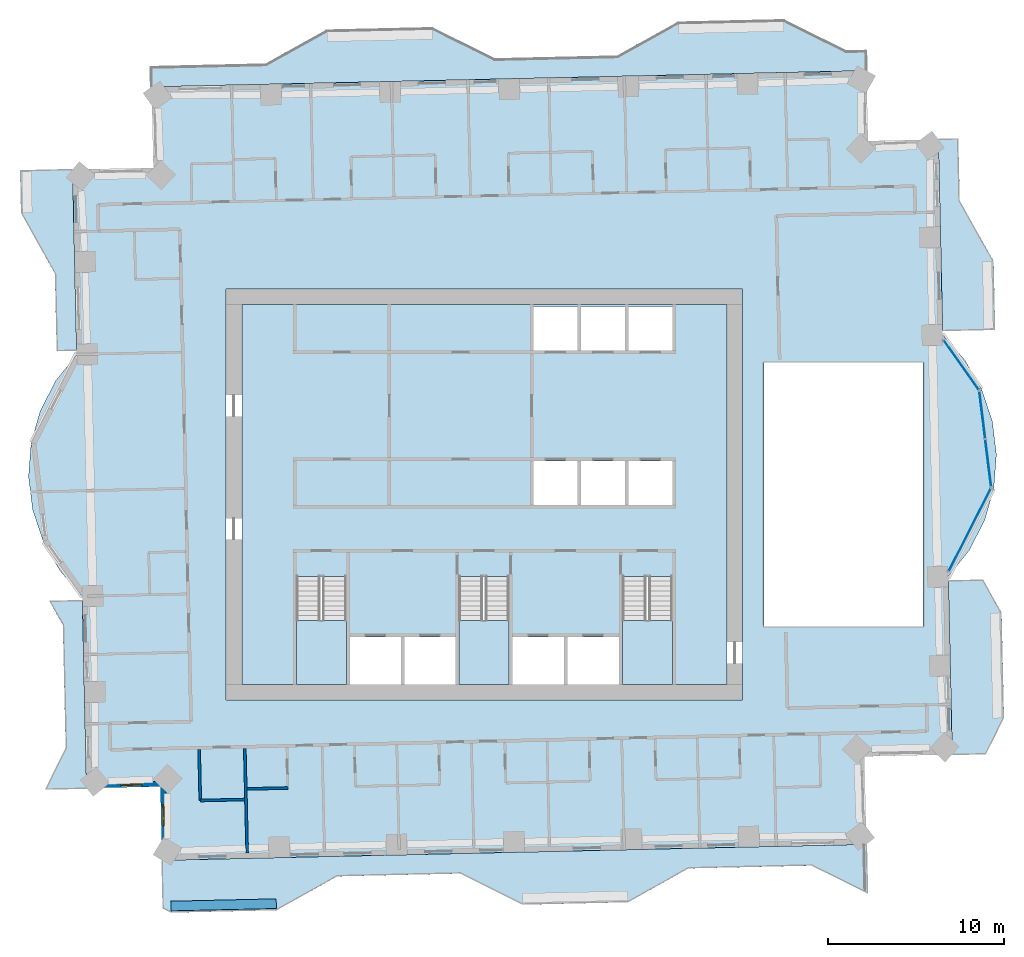
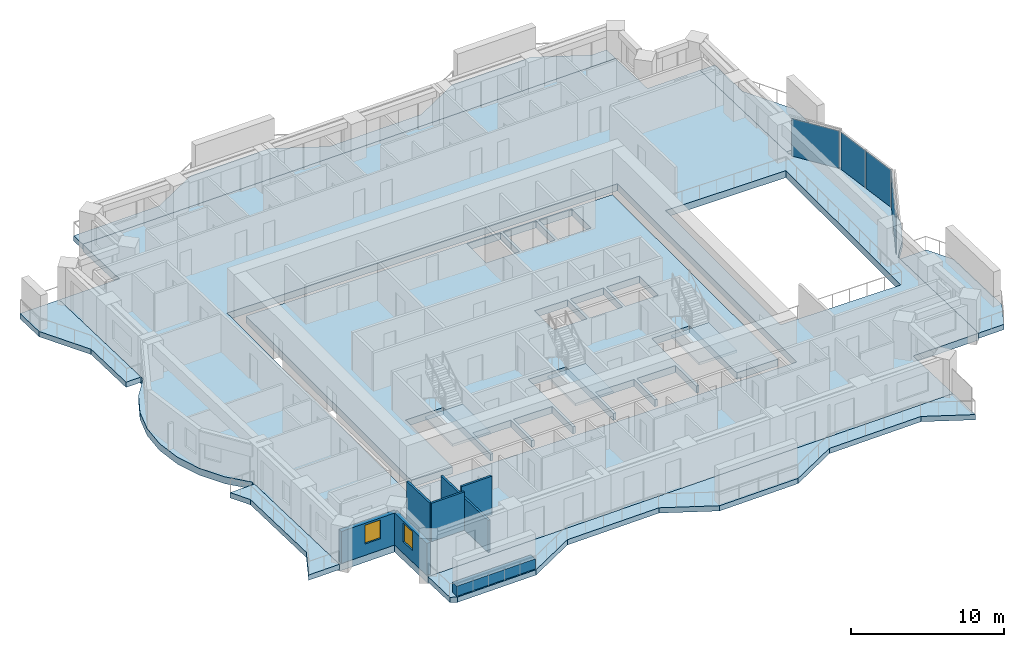
# One storey, part 5 of 16: 11 slabs, 7 walls, 4 plates, 2 windows, 2 openings, 6 elements without a shape of their own.
"""IFC4 building model written with IfcOpenShell, lengths in metres."""

from ifc_helpers import new_model, si_unit, direction, frame, frame_2d, origin, origin_2d, place, context, subcontext, project, spatial, polyline, rectangle, outline, extrude, material, layer, layer_set, type_object, element, fill, aggregate, save


model = new_model("IFC4")

# Units and contexts
model_context = context("Model", 3, precision=1e-05, world=origin(), true_north=direction((0.0, 1.0)))
body_context = subcontext(model_context, "Body", "Model", "MODEL_VIEW")
ifc_project = project(units=[si_unit("LENGTHUNIT", "METRE"), si_unit("AREAUNIT", "SQUARE_METRE"), si_unit("VOLUMEUNIT", "CUBIC_METRE"), si_unit("PLANEANGLEUNIT", "RADIAN"), si_unit("MASSUNIT", "GRAM", prefix="KILO")], contexts=[model_context])

# Site, building, storey
site_placement = place(None, origin())
site = spatial("IfcSite", under=ifc_project, at=site_placement, CompositionType="ELEMENT")
building_placement = place(site_placement, origin())
building = spatial("IfcBuilding", under=site, at=building_placement, Name="Mangrove Gate Tower", CompositionType="ELEMENT")
storey_placement = place(building_placement, frame((0.0, 0.0, 175.300048828125)))
storey = spatial("IfcBuildingStorey", under=building, at=storey_placement, Name="L44", CompositionType="ELEMENT", Elevation=175.300048828125)

# Curtain wall, plate
ifc_material_1 = material(Name="Aluminium and glass curtain wall", Category="aluminium")
curtain_wall_type = type_object("IfcCurtainWallType", Name="Atrium garden-court glazing wall", PredefinedType="NOTDEFINED", material=ifc_material_1)
curtain_wall_1_placement = place(storey_placement, origin())
curtain_wall_1 = element("IfcCurtainWall", 1, at=curtain_wall_1_placement, inside=storey, type_object=curtain_wall_type, Name="Atrium garden-court glazing E1f1", PredefinedType="NOTDEFINED")
ifc_material_2 = material(Name="Laminated low-e glass", Category="glass")
ifc_layer_1 = layer(ifc_material_2, 0.031982421875)
ifc_layer_set_1 = layer_set([ifc_layer_1], Name="Atrium garden-court glazing panel 32")
plate_type = type_object("IfcPlateType", Name="Atrium garden-court glazing panel 32", PredefinedType="CURTAIN_PANEL", material=ifc_layer_set_1)
plate_1_placement = place(storey_placement, frame((27.61572265625, -2.01220703125, 0.0), z_axis=(0.0, 0.0, 1.0), x_axis=(0.452578247326, 0.891724694089, 0.0)))
plate_1 = element("IfcPlate", 2, at=plate_1_placement, type_object=plate_type, Name="CWA panel 1.1", PredefinedType="CURTAIN_PANEL", context=body_context, shape_type="SweptSolid", body=[
    extrude(rectangle(XDim=5.25732421875, YDim=0.031982421875, at=origin_2d()), origin(), (0.0, 0.0, 1.0), 2.97998046875),
])
aggregate(curtain_wall_1, [plate_1])

# Curtain wall, plates
curtain_wall_2_placement = place(storey_placement, origin())
curtain_wall_2 = element("IfcCurtainWall", 3, at=curtain_wall_2_placement, inside=storey, type_object=curtain_wall_type, Name="Atrium garden-court glazing E1f2", PredefinedType="NOTDEFINED")
plate_2_placement = place(storey_placement, frame((28.664794921875, 1.79443359375, 0.0), z_axis=(0.0, 0.0, 1.0), x_axis=(-0.122172286076, 0.992508908028, 0.0)))
plate_2 = element("IfcPlate", 4, at=plate_2_placement, type_object=plate_type, Name="CWA panel 1.1", PredefinedType="CURTAIN_PANEL", context=body_context, shape_type="SweptSolid", body=[
    extrude(rectangle(XDim=2.681640625, YDim=0.031982421875, at=origin_2d()), origin(), (0.0, 0.0, 1.0), 2.97998046875),
])
plate_3_placement = place(storey_placement, frame((28.32861328125, 4.525634765625, 0.0), z_axis=(0.0, 0.0, 1.0), x_axis=(-0.122172286076, 0.992508908028, 0.0)))
plate_3 = element("IfcPlate", 5, at=plate_3_placement, type_object=plate_type, Name="CWA panel 2.1", PredefinedType="CURTAIN_PANEL", context=body_context, shape_type="SweptSolid", body=[
    extrude(rectangle(XDim=2.681640625, YDim=0.031982421875, at=origin_2d()), origin(), (0.0, 0.0, 1.0), 2.97998046875),
])
aggregate(curtain_wall_2, [plate_2, plate_3])

# Curtain wall, plate
curtain_wall_3_placement = place(storey_placement, origin())
curtain_wall_3 = element("IfcCurtainWall", 6, at=curtain_wall_3_placement, inside=storey, type_object=curtain_wall_type, Name="Atrium garden-court glazing E1f3", PredefinedType="NOTDEFINED")
plate_4_placement = place(storey_placement, frame((27.125, 7.381591796875, 0.0), z_axis=(0.0, 0.0, 1.0), x_axis=(-0.578106334278, 0.815961436753, 0.0)))
plate_4 = element("IfcPlate", 7, at=plate_4_placement, type_object=plate_type, Name="CWA panel 1.1", PredefinedType="CURTAIN_PANEL", context=body_context, shape_type="SweptSolid", body=[
    extrude(rectangle(XDim=3.427978515625, YDim=0.031982421875, at=origin_2d()), origin(), (0.0, 0.0, 1.0), 2.97998046875),
])
aggregate(curtain_wall_3, [plate_4])

# Slabs
ifc_material_3 = material(Name="Porcelain tile")
ifc_layer_2 = layer(ifc_material_3, 0.02001953125, Name="Tile finish")
ifc_material_4 = material(Name="Cement sand screed")
ifc_layer_3 = layer(ifc_material_4, 0.0400390625, Name="Screed laid to falls")
ifc_material_5 = material(Name="Bituminous waterproofing membrane")
ifc_layer_4 = layer(ifc_material_5, 0.00390625, Name="Waterproofing")
ifc_material_6 = material(Name="Concrete C40/50", Category="concrete")
ifc_layer_5 = layer(ifc_material_6, 0.340087890625, Name="Balcony structural slab")
ifc_material_7 = material(Name="Limestone", Category="masonry")
ifc_layer_6 = layer(ifc_material_7, 0.01611328125, Name="Soffit lining")
ifc_layer_set_2 = layer_set([ifc_layer_2, ifc_layer_3, ifc_layer_4, ifc_layer_5, ifc_layer_6], Name="Balcony slab 420 C40/50")
slab_type_1 = type_object("IfcSlabType", Name="Balcony slab 420 C40/50", PredefinedType="FLOOR", material=ifc_layer_set_2)
slab_1_placement = place(storey_placement, frame((0.0, 0.0, -0.420166015625)))
element("IfcSlab", 8, at=slab_1_placement, inside=storey, type_object=slab_type_1, Name="BALCONY L44 E0", PredefinedType="FLOOR", context=body_context, shape_type="SweptSolid", body=[
    extrude(outline(polyline([(28.552001953125, -14.742919921875), (29.56298828125, -12.718994140625), (29.427001953125, -6.720947265625), (28.39404296875, -4.868896484375), (26.39501953125, -4.9140625), (26.43798828125, -6.7890625), (26.573974609375, -12.787109375), (26.618896484375, -14.787109375), (28.552001953125, -14.742919921875)])), origin(), (0.0, 0.0, 1.0), 0.420166015625),
])
slab_2_placement = place(storey_placement, frame((0.0, 0.0, -0.420166015625)))
element("IfcSlab", 9, at=slab_2_placement, inside=storey, type_object=slab_type_1, Name="BALCONY L44 E1", PredefinedType="FLOOR", context=body_context, shape_type="SweptSolid", body=[
    extrude(outline(polyline([(29.06103515625, 9.39990234375), (28.972900390625, 13.27392578125), (27.0439453125, 16.73095703125), (26.965087890625, 20.22998046875), (25.824951171875, 20.2041015625), (25.905029296875, 16.705078125), (25.98388671875, 13.2060546875), (26.072021484375, 9.3330078125), (29.06103515625, 9.39990234375)])), origin(), (0.0, 0.0, 1.0), 0.420166015625),
])
slab_3_placement = place(storey_placement, frame((0.0, 0.0, -0.420166015625)))
element("IfcSlab", 10, at=slab_3_placement, inside=storey, type_object=slab_type_1, Name="BALCONY L44 N0", PredefinedType="FLOOR", context=body_context, shape_type="SweptSolid", body=[
    extrude(outline(polyline([(21.7099609375, 25.251953125), (20.570068359375, 25.22607421875), (17.029052734375, 26.9970703125), (11.030029296875, 26.860107421875), (7.572998046875, 24.931884765625), (0.574951171875, 24.77392578125), (-2.966064453125, 26.54296875), (-8.964111328125, 26.406982421875), (-12.422119140625, 24.47802734375), (-18.9599609375, 24.3291015625), (-18.93408203125, 23.18994140625), (-8.89697265625, 23.4169921875), (21.736083984375, 24.113037109375), (21.7099609375, 25.251953125)])), origin(), (0.0, 0.0, 1.0), 0.420166015625),
])
slab_4_placement = place(storey_placement, frame((0.0, 0.0, -0.420166015625)))
element("IfcSlab", 11, at=slab_4_placement, inside=storey, type_object=slab_type_1, Name="BALCONY L44 W0", PredefinedType="FLOOR", context=body_context, shape_type="SweptSolid", body=[
    extrude(outline(polyline([(-26.41796875, 18.4189453125), (-26.363037109375, 16.01904296875), (-24.43408203125, 12.56201171875), (-24.3349609375, 8.18896484375), (-23.195068359375, 8.214111328125), (-23.294921875, 12.587890625), (-23.3740234375, 16.0869140625), (-23.427978515625, 18.487060546875), (-26.41796875, 18.4189453125)])), origin(), (0.0, 0.0, 1.0), 0.420166015625),
])
slab_5_placement = place(storey_placement, frame((0.0, 0.0, -0.420166015625)))
element("IfcSlab", 12, at=slab_5_placement, inside=storey, type_object=slab_type_1, Name="BALCONY L44 W1", PredefinedType="FLOOR", context=body_context, shape_type="SweptSolid", body=[
    extrude(outline(polyline([(-24.738037109375, -6.074951171875), (-23.98095703125, -7.43310546875), (-23.822021484375, -14.430908203125), (-24.985107421875, -16.758056640625), (-22.6298828125, -16.7041015625), (-22.681884765625, -14.405029296875), (-22.841064453125, -7.406982421875), (-22.8720703125, -6.032958984375), (-24.738037109375, -6.074951171875)])), origin(), (0.0, 0.0, 1.0), 0.420166015625),
])
slab_6_placement = place(storey_placement, frame((0.0, 0.0, -0.420166015625)))
element("IfcSlab", 13, at=slab_6_placement, inside=storey, type_object=slab_type_1, Name="BALCONY L44 S0", PredefinedType="FLOOR", context=body_context, shape_type="SweptSolid", body=[
    extrude(outline(polyline([(-18.27294921875, -23.56494140625), (-17.827880859375, -23.787109375), (-11.8291015625, -23.65087890625), (-8.3720703125, -21.721923828125), (-1.3740234375, -21.56298828125), (2.1669921875, -23.333984375), (8.1650390625, -23.197021484375), (11.623046875, -21.26904296875), (18.62109375, -21.111083984375), (21.798095703125, -22.697998046875), (21.73388671875, -19.89892578125), (-18.3359375, -20.80810546875), (-18.27294921875, -23.56494140625)])), origin(), (0.0, 0.0, 1.0), 0.420166015625),
])
ifc_material_8 = material(Name="Concrete C40/50", Category="concrete")
ifc_layer_7 = layer(ifc_material_8, 0.550048828125)
ifc_layer_set_3 = layer_set([ifc_layer_7], Name="Core floor slab 550 C40/50")
slab_type_2 = type_object("IfcSlabType", Name="Core floor slab 550 C40/50", PredefinedType="FLOOR", material=ifc_layer_set_3)
slab_7_placement = place(storey_placement, frame((0.0, 0.0, -0.550048828125)))
element("IfcSlab", 14, at=slab_7_placement, inside=storey, type_object=slab_type_2, Name="SLAB-L44-CORE-1", PredefinedType="FLOOR", context=body_context, shape_type="SweptSolid", body=[
    extrude(outline(polyline([(-13.800048828125, -10.800048828125), (-13.800048828125, 10.800048828125), (13.800048828125, 10.800048828125), (13.800048828125, -10.800048828125), (10.699951171875, -10.800048828125), (10.699951171875, -4.653076171875), (7.85009765625, -4.653076171875), (7.85009765625, -10.800048828125), (7.64990234375, -10.800048828125), (7.64990234375, -8.10009765625), (4.72509765625, -8.10009765625), (4.72509765625, -10.800048828125), (4.52490234375, -10.800048828125), (4.52490234375, -8.10009765625), (1.60009765625, -8.10009765625), (1.60009765625, -10.800048828125), (1.39990234375, -10.800048828125), (1.39990234375, -4.653076171875), (-1.449951171875, -4.653076171875), (-1.449951171875, -10.800048828125), (-1.64990234375, -10.800048828125), (-1.64990234375, -8.10009765625), (-4.550048828125, -8.10009765625), (-4.550048828125, -10.800048828125), (-4.75, -10.800048828125), (-4.75, -8.10009765625), (-7.64990234375, -8.10009765625), (-7.64990234375, -10.800048828125), (-7.85009765625, -10.800048828125), (-7.85009765625, -4.653076171875), (-10.699951171875, -4.653076171875), (-10.699951171875, -10.800048828125), (-13.800048828125, -10.800048828125)]), holes=[polyline([(5.300048828125, -0.60009765625), (5.300048828125, 1.89990234375), (2.800048828125, 1.89990234375), (2.800048828125, -0.60009765625), (5.300048828125, -0.60009765625)]), polyline([(5.300048828125, 10.699951171875), (2.800048828125, 10.699951171875), (2.800048828125, 8.199951171875), (5.300048828125, 8.199951171875), (5.300048828125, 10.699951171875)]), polyline([(8.0, -0.60009765625), (8.0, 1.89990234375), (5.5, 1.89990234375), (5.5, -0.60009765625), (8.0, -0.60009765625)]), polyline([(10.699951171875, -0.60009765625), (10.699951171875, 1.89990234375), (8.199951171875, 1.89990234375), (8.199951171875, -0.60009765625), (10.699951171875, -0.60009765625)]), polyline([(8.0, 8.199951171875), (8.0, 10.699951171875), (5.5, 10.699951171875), (5.5, 8.199951171875), (8.0, 8.199951171875)]), polyline([(10.699951171875, 8.199951171875), (10.699951171875, 10.699951171875), (8.199951171875, 10.699951171875), (8.199951171875, 8.199951171875), (10.699951171875, 8.199951171875)])]), origin(), (0.0, 0.0, 1.0), 0.550048828125),
])

# Stair, slab
ifc_material_9 = material(Name="Concrete C40/50", Category="concrete")
stair_type = type_object("IfcStairType", Name="Core stair 1350", PredefinedType="HALF_TURN_STAIR", material=ifc_material_9)
stair_1_placement = place(storey_placement, origin())
stair_1 = element("IfcStair", 15, at=stair_1_placement, inside=storey, type_object=stair_type, Name="L44 Stair 1", PredefinedType="HALF_TURN_STAIR")
ifc_material_10 = material(Name="Concrete C40/50", Category="concrete")
ifc_layer_8 = layer(ifc_material_10, 0.199951171875)
ifc_layer_set_4 = layer_set([ifc_layer_8], Name="Core stair landing 200")
slab_type_3 = type_object("IfcSlabType", Name="Core stair landing 200", PredefinedType="LANDING", material=ifc_layer_set_4)
slab_8_placement = place(storey_placement, frame((0.0, 0.0, 1.599853515625)))
slab_8 = element("IfcSlab", 16, at=slab_8_placement, type_object=slab_type_3, Name="ST1 landing 1", PredefinedType="LANDING", context=body_context, shape_type="SweptSolid", body=[
    extrude(outline(polyline([(-10.699951171875, -7.169921875), (-10.699951171875, -10.800048828125), (-7.85009765625, -10.800048828125), (-7.85009765625, -7.169921875), (-10.699951171875, -7.169921875)])), origin(), (0.0, 0.0, 1.0), 0.2001953125),
])
aggregate(stair_1, [slab_8])

stair_2_placement = place(storey_placement, origin())
stair_2 = element("IfcStair", 17, at=stair_2_placement, inside=storey, type_object=stair_type, Name="L44 Stair 2", PredefinedType="HALF_TURN_STAIR")
slab_9_placement = place(storey_placement, frame((0.0, 0.0, 1.599853515625)))
slab_9 = element("IfcSlab", 18, at=slab_9_placement, type_object=slab_type_3, Name="ST2 landing 1", PredefinedType="LANDING", context=body_context, shape_type="SweptSolid", body=[
    extrude(outline(polyline([(-1.449951171875, -7.169921875), (-1.449951171875, -10.800048828125), (1.39990234375, -10.800048828125), (1.39990234375, -7.169921875), (-1.449951171875, -7.169921875)])), origin(), (0.0, 0.0, 1.0), 0.2001953125),
])
aggregate(stair_2, [slab_9])

stair_3_placement = place(storey_placement, origin())
stair_3 = element("IfcStair", 19, at=stair_3_placement, inside=storey, type_object=stair_type, Name="L44 Stair 3", PredefinedType="HALF_TURN_STAIR")
slab_10_placement = place(storey_placement, frame((0.0, 0.0, 1.599853515625)))
slab_10 = element("IfcSlab", 20, at=slab_10_placement, type_object=slab_type_3, Name="ST3 landing 1", PredefinedType="LANDING", context=body_context, shape_type="SweptSolid", body=[
    extrude(outline(polyline([(7.85009765625, -7.169921875), (7.85009765625, -10.800048828125), (10.699951171875, -10.800048828125), (10.699951171875, -7.169921875), (7.85009765625, -7.169921875)])), origin(), (0.0, 0.0, 1.0), 0.2001953125),
])
aggregate(stair_3, [slab_10])

# Slab
ifc_material_11 = material(Name="Concrete C40/50", Category="concrete")
ifc_layer_9 = layer(ifc_material_11, 0.550048828125)
ifc_layer_set_5 = layer_set([ifc_layer_9], Name="Floor slab 550 C40/50")
slab_type_4 = type_object("IfcSlabType", Name="Floor slab 550 C40/50", PredefinedType="FLOOR", material=ifc_layer_set_5)
slab_11_placement = place(storey_placement, frame((0.0, 0.0, -0.550048828125)))
element("IfcSlab", 21, at=slab_11_placement, inside=storey, type_object=slab_type_4, Name="Floor slab L44", PredefinedType="FLOOR", context=body_context, shape_type="SweptSolid", body=[
    extrude(outline(polyline([(-18.335693359375, -20.80810546875), (21.734130859375, -19.898681640625), (21.62060546875, -14.900146484375), (26.619384765625, -14.78662109375), (26.3896484375, -4.66455078125), (27.586181640625, -3.172119140625), (28.463134765625, -1.472412109375), (28.985595703125, 0.36767578125), (29.1328125, 2.27490234375), (28.899169921875, 4.17333984375), (28.293701171875, 5.98779296875), (27.340576171875, 7.64599609375), (26.07763671875, 9.08251953125), (25.8251953125, 20.204345703125), (21.826416015625, 20.113525390625), (21.735595703125, 24.112548828125), (-18.93408203125, 23.189697265625), (-18.82958984375, 18.5908203125), (-23.428466796875, 18.486572265625), (-23.189697265625, 7.964599609375), (-24.38623046875, 6.47216796875), (-25.26318359375, 4.772216796875), (-25.78564453125, 2.932373046875), (-25.932861328125, 1.025146484375), (-25.69921875, -0.873291015625), (-25.09375, -2.687744140625), (-24.140625, -4.345947265625), (-22.877685546875, -5.782470703125), (-22.6298828125, -16.704345703125), (-18.430908203125, -16.609130859375), (-18.335693359375, -20.80810546875)]), holes=[polyline([(15.89990234375, 7.5), (24.964111328125, 7.5), (24.964111328125, -7.5), (15.89990234375, -7.5), (15.89990234375, 7.5)]), polyline([(-14.699951171875, -11.699951171875), (-14.699951171875, 11.699951171875), (14.699951171875, 11.699951171875), (14.699951171875, -11.699951171875), (-14.699951171875, -11.699951171875)])]), origin(), (0.0, 0.0, 1.0), 0.550048828125),
])

# Wall, opening, window
ifc_layer_10 = layer(ifc_material_7, 0.0400390625, Name="Limestone cladding")
ifc_material_12 = material(Name="Ventilated air gap")
ifc_layer_11 = layer(ifc_material_12, 0.0400390625, Name="Ventilated cavity")
ifc_material_13 = material(Name="Mineral wool insulation")
ifc_layer_12 = layer(ifc_material_13, 0.06005859375, Name="Insulation")
ifc_material_14 = material(Name="Breather membrane")
ifc_layer_13 = layer(ifc_material_14, 0.001953125, Name="Breather membrane")
ifc_material_15 = material(Name="Concrete C20/25 blockwork", Category="masonry")
ifc_layer_14 = layer(ifc_material_15, 0.14990234375, Name="Blockwork backing wall")
ifc_material_16 = material(Name="Gypsum plaster")
ifc_layer_15 = layer(ifc_material_16, 0.008056640625, Name="Internal plaster")
ifc_layer_set_6 = layer_set([ifc_layer_10, ifc_layer_11, ifc_layer_12, ifc_layer_13, ifc_layer_14, ifc_layer_15], Name="External wall 300 limestone cladding")
wall_type_1 = type_object("IfcWallType", Name="External wall 300 limestone cladding", PredefinedType="SOLIDWALL", material=ifc_layer_set_6)
wall_1_placement = place(storey_placement, frame((-22.48291015625, -16.551025390625, 0.0), z_axis=(0.0, 0.0, 1.0), x_axis=(0.999744320311, 0.022611811187, 0.0)))
wall_1 = element("IfcWall", 22, at=wall_1_placement, inside=storey, type_object=wall_type_1, Name="WALL-L44-S11", PredefinedType="SOLIDWALL", context=body_context, shape_type="SweptSolid", body=[
    extrude(rectangle(XDim=4.199951171875, YDim=0.300048828125, at=frame_2d((2.10009765625, 0.0))), origin(), (0.0, 0.0, 1.0), 2.550048828125),
])
opening_1_placement = place(wall_1_placement, frame((1.7958984375, 0.0, 0.89990234375)))
opening_1 = element("IfcOpeningElement", 23, at=opening_1_placement, cuts=wall_1, Name="Opening W1", PredefinedType="OPENING", context=body_context, shape_type="SweptSolid", body=[
    extrude(rectangle(XDim=1.199951171875, YDim=1.5, at=frame_2d((0.60009765625, 0.75))), frame((0.0, 0.159912109375, 0.0), z_axis=(0.0, -1.0, 0.0), x_axis=(1.0, 0.0, 0.0)), (0.0, 0.0, 1.0), 0.320068359375),
])
ifc_material_17 = material(Name="Aluminium frame with double-glazed low-e glass", Category="aluminium")
window_type = type_object("IfcWindowType", Name="Side lite 1200x1500", PartitioningType="SINGLE_PANEL", PredefinedType="WINDOW", material=ifc_material_17)
window_1_placement = place(opening_1_placement, origin())
window_1 = element("IfcWindow", 24, at=window_1_placement, inside=storey, type_object=window_type, Name="WIN-L44-S11-1", OverallHeight=1.5, OverallWidth=1.199951171875, PartitioningType="SINGLE_PANEL", PredefinedType="WINDOW", context=body_context, shape_type="SweptSolid", body=[
    extrude(rectangle(XDim=1.199951171875, YDim=1.5, at=frame_2d((0.60009765625, 0.75))), frame((0.0, 0.030029296875, 0.0), z_axis=(0.0, -1.0, 0.0), x_axis=(1.0, 0.0, 0.0)), (0.0, 0.0, 1.0), 0.06005859375),
])
fill(opening_1, window_1)

wall_2_placement = place(storey_placement, frame((-18.283935546875, -16.4560546875, 0.0), z_axis=(0.0, 0.0, 1.0), x_axis=(0.022611811187, -0.999744320311, 0.0)))
wall_2 = element("IfcWall", 25, at=wall_2_placement, inside=storey, type_object=wall_type_1, Name="WALL-L44-W12", PredefinedType="SOLIDWALL", context=body_context, shape_type="SweptSolid", body=[
    extrude(rectangle(XDim=4.199951171875, YDim=0.300048828125, at=frame_2d((2.10009765625, 0.0))), origin(), (0.0, 0.0, 1.0), 2.550048828125),
])
opening_2_placement = place(wall_2_placement, frame((1.194091796875, 0.0, 0.89990234375)))
opening_2 = element("IfcOpeningElement", 26, at=opening_2_placement, cuts=wall_2, Name="Opening W1", PredefinedType="OPENING", context=body_context, shape_type="SweptSolid", body=[
    extrude(rectangle(XDim=1.199951171875, YDim=1.5, at=frame_2d((0.60009765625, 0.75))), frame((0.0, 0.159912109375, 0.0), z_axis=(0.0, -1.0, 0.0), x_axis=(1.0, 0.0, 0.0)), (0.0, 0.0, 1.0), 0.320068359375),
])
window_2_placement = place(opening_2_placement, origin())
window_2 = element("IfcWindow", 27, at=window_2_placement, inside=storey, type_object=window_type, Name="WIN-L44-W12-1", OverallHeight=1.5, OverallWidth=1.199951171875, PartitioningType="SINGLE_PANEL", PredefinedType="WINDOW", context=body_context, shape_type="SweptSolid", body=[
    extrude(rectangle(XDim=1.199951171875, YDim=1.5, at=frame_2d((0.60009765625, 0.75))), frame((0.0, 0.030029296875, 0.0), z_axis=(0.0, -1.0, 0.0), x_axis=(1.0, 0.0, 0.0)), (0.0, 0.0, 1.0), 0.06005859375),
])
fill(opening_2, window_2)

# Walls
ifc_material_18 = material(Name="Gypsum board on steel stud, EI 60", Category="steel")
ifc_layer_16 = layer(ifc_material_18, 0.14990234375)
ifc_layer_set_7 = layer_set([ifc_layer_16], Name="Party wall 150 EI 60")
wall_type_2 = type_object("IfcWallType", Name="Party wall 150 EI 60", PredefinedType="PARTITIONING", material=ifc_layer_set_7)
wall_3_placement = place(storey_placement, frame((-13.493896484375, -20.39794921875, 0.0), z_axis=(0.0, 0.0, 1.0), x_axis=(-0.022692509051, 0.999742491861, 0.0)))
element("IfcWall", 28, at=wall_3_placement, inside=storey, type_object=wall_type_2, Name="WALL-L44-001", PredefinedType="PARTITIONING", context=body_context, shape_type="SweptSolid", body=[
    extrude(rectangle(XDim=5.949462890625, YDim=0.14990234375, at=frame_2d((2.974609375, 0.0))), origin(), (0.0, 0.0, 1.0), 2.550048828125),
])
wall_4_placement = place(storey_placement, frame((-16.162109375, -17.407958984375, 0.0), z_axis=(0.0, 0.0, 1.0), x_axis=(0.999746160391, 0.022530308093, 0.0)))
element("IfcWall", 29, at=wall_4_placement, inside=storey, type_object=wall_type_2, Name="WALL-L44-009", PredefinedType="PARTITIONING", context=body_context, shape_type="SweptSolid", body=[
    extrude(rectangle(XDim=2.52490234375, YDim=0.14990234375, at=frame_2d((1.262451171875, 0.0))), origin(), (0.0, 0.0, 1.0), 3.050048828125),
])
wall_5_placement = place(storey_placement, frame((-16.162109375, -17.407958984375, 0.0), z_axis=(0.0, 0.0, 1.0), x_axis=(-0.022732880677, 0.999741574676, 0.0)))
element("IfcWall", 30, at=wall_5_placement, inside=storey, type_object=wall_type_2, Name="WALL-L44-010", PredefinedType="PARTITIONING", context=body_context, shape_type="SweptSolid", body=[
    extrude(rectangle(XDim=2.899658203125, YDim=0.14990234375, at=frame_2d((1.44970703125, 0.0))), origin(), (0.0, 0.0, 1.0), 3.050048828125),
])
wall_6_placement = place(storey_placement, frame((-13.501953125, -16.7470703125, 0.0), z_axis=(0.0, 0.0, 1.0), x_axis=(0.999749954681, 0.022361308448, 0.0)))
element("IfcWall", 31, at=wall_6_placement, inside=storey, type_object=wall_type_2, Name="WALL-L44-013", PredefinedType="PARTITIONING", context=body_context, shape_type="SweptSolid", body=[
    extrude(rectangle(XDim=2.325439453125, YDim=0.14990234375, at=frame_2d((1.16259765625, 0.0))), origin(), (0.0, 0.0, 1.0), 3.050048828125),
])
ifc_material_19 = material(Name="Concrete C32/40", Category="concrete")
ifc_layer_17 = layer(ifc_material_19, 0.199951171875, Name="Planter trough wall")
ifc_layer_18 = layer(ifc_material_5, 0.0048828125, Name="Waterproofing")
ifc_material_20 = material(Name="Drainage board and gravel")
ifc_layer_19 = layer(ifc_material_20, 0.044921875, Name="Drainage layer")
ifc_material_21 = material(Name="Planting soil")
ifc_layer_20 = layer(ifc_material_21, 0.300048828125, Name="Growing medium")
ifc_layer_set_8 = layer_set([ifc_layer_17, ifc_layer_18, ifc_layer_19, ifc_layer_20], Name="Planter wall 550 C32/40")
wall_type_3 = type_object("IfcWallType", Name="Planter wall 550 C32/40", PredefinedType="USERDEFINED", material=ifc_layer_set_8)
wall_7_placement = place(storey_placement, frame((-17.8359375, -23.412109375, 0.0), z_axis=(0.0, 0.0, 1.0), x_axis=(0.999742171567, 0.022706615587, 0.0)))
element("IfcWall", 32, at=wall_7_placement, inside=storey, type_object=wall_type_3, Name="PLANTER L44 S0.1", ObjectType="PLANTER", PredefinedType="USERDEFINED", context=body_context, shape_type="SweptSolid", body=[
    extrude(rectangle(XDim=5.99951171875, YDim=0.550048828125, at=frame_2d((2.999755859375, 0.0))), origin(), (0.0, 0.0, 1.0), 0.800048828125),
])

save(model, "model.ifc")
